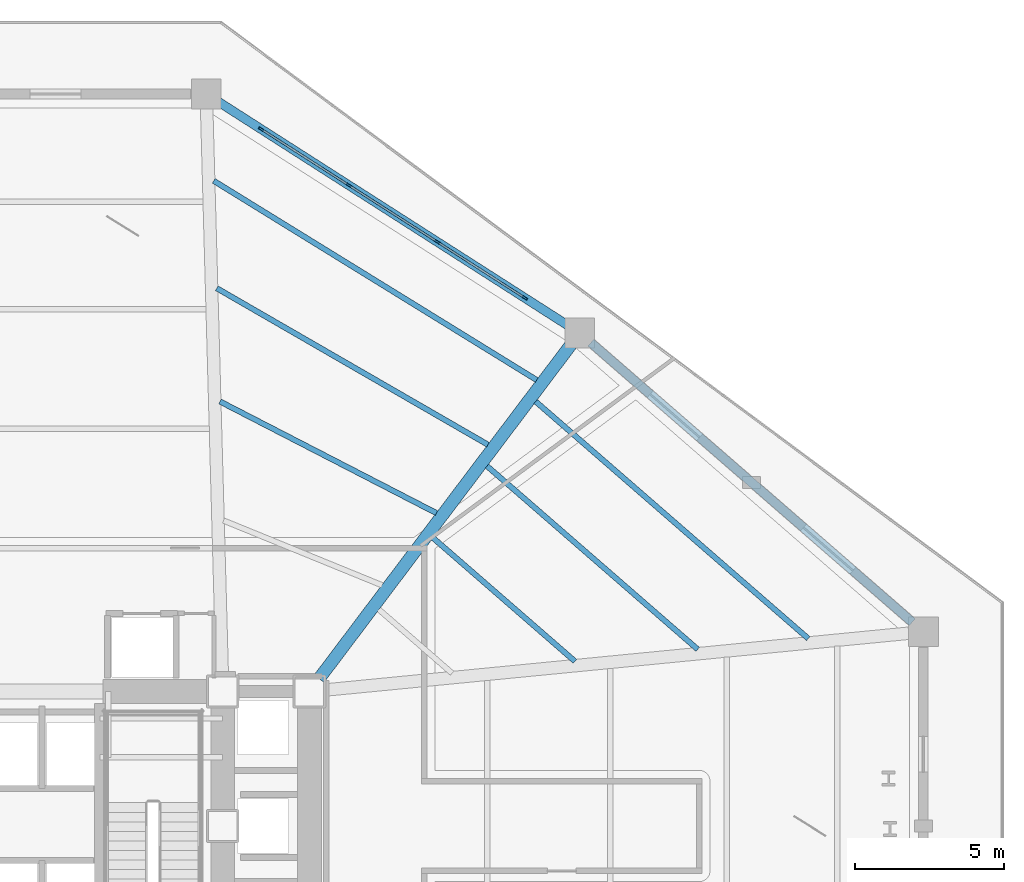
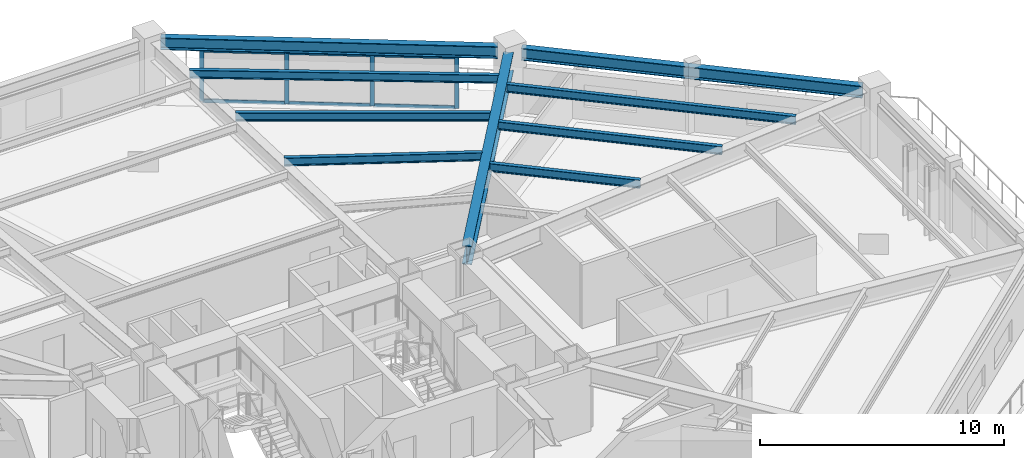
# One storey, part 4 of 12: 10 members, 9 beams, 1 element without a shape of its own.
"""IFC4 building model written with IfcOpenShell, lengths in metres."""

from ifc_helpers import new_model, si_unit, direction, frame, origin, origin_2d, place, context, subcontext, project, spatial, rectangle, i_section, extrude, material, layer, layer_set, material_profile, profile_set, type_object, element, aggregate, save


model = new_model("IFC4")

# Units and contexts
model_context = context("Model", 3, precision=1e-05, world=origin(), true_north=direction((0.0, 1.0)))
body_context = subcontext(model_context, "Body", "Model", "MODEL_VIEW")
ifc_project = project(units=[si_unit("LENGTHUNIT", "METRE"), si_unit("AREAUNIT", "SQUARE_METRE"), si_unit("VOLUMEUNIT", "CUBIC_METRE"), si_unit("PLANEANGLEUNIT", "RADIAN"), si_unit("MASSUNIT", "GRAM", prefix="KILO")], contexts=[model_context])

# Site, building, storey
site_placement = place(None, origin())
site = spatial("IfcSite", under=ifc_project, at=site_placement, CompositionType="ELEMENT")
building_placement = place(site_placement, origin())
building = spatial("IfcBuilding", under=site, at=building_placement, Name="Rocaltana Carrier Exchange", CompositionType="ELEMENT")
storey_placement = place(building_placement, frame((0.0, 0.0, 8.320068359375)))
storey = spatial("IfcBuildingStorey", under=building, at=storey_placement, Name="L03", CompositionType="ELEMENT", Elevation=8.320068359375)

# Curtain wall, members
ifc_material_1 = material(Name="Aluminium 6063-T6", Category="aluminium")
ifc_layer = layer(ifc_material_1, 0.179931640625)
ifc_layer_set = layer_set([ifc_layer], Name="Aluminium 6063-T6")
curtain_wall_type = type_object("IfcCurtainWallType", Name="Sandstone Spandrel Unitised Curtain Wall CW-01", PredefinedType="NOTDEFINED", material=ifc_layer_set)
curtain_wall_placement = place(storey_placement, origin())
curtain_wall = element("IfcCurtainWall", 1, at=curtain_wall_placement, inside=storey, type_object=curtain_wall_type, Name="L03 CW-01 Run CW01-POD-L03-B07", PredefinedType="NOTDEFINED")
ifc_material_2 = material(Name="Aluminium 6063-T6", Category="aluminium")
ifc_material_profile_1 = material_profile(ifc_material_2, rectangle(XDim=0.06494140625, YDim=0.179931640625, at=origin_2d()), Name="AL-65X180")
ifc_profile_set_1 = profile_set([ifc_material_profile_1], Name="Aluminium 6063-T6")
member_type_1 = type_object("IfcMemberType", Name="CW-01 Mullion AL-65X180", PredefinedType="MULLION", material=ifc_profile_set_1)
member_1_placement = place(storey_placement, frame((7.33837890625, 23.323486328125, 0.0), z_axis=(0.0, 0.0, 1.0), x_axis=(0.539050465884, 0.842273468198, 0.0)))
member_1 = element("IfcMember", 2, at=member_1_placement, type_object=member_type_1, Name="CW-01 mullion 1", PredefinedType="MULLION", context=body_context, shape_type="SweptSolid", body=[
    extrude(rectangle(XDim=0.06494140625, YDim=0.179931640625, at=origin_2d()), origin(), (0.0, 0.0, 1.0), 2.587890625),
])
member_2_placement = place(storey_placement, frame((10.270263671875, 21.447021484375, 0.0), z_axis=(0.0, 0.0, 1.0), x_axis=(0.539050465884, 0.842273468198, 0.0)))
member_2 = element("IfcMember", 3, at=member_2_placement, type_object=member_type_1, Name="CW-01 mullion 2", PredefinedType="MULLION", context=body_context, shape_type="SweptSolid", body=[
    extrude(rectangle(XDim=0.06494140625, YDim=0.179931640625, at=origin_2d()), origin(), (0.0, 0.0, 1.0), 2.587890625),
])
member_3_placement = place(storey_placement, frame((13.229736328125, 19.552978515625, 0.0), z_axis=(0.0, 0.0, 1.0), x_axis=(0.539050465884, 0.842273468198, 0.0)))
member_3 = element("IfcMember", 4, at=member_3_placement, type_object=member_type_1, Name="CW-01 mullion 3", PredefinedType="MULLION", context=body_context, shape_type="SweptSolid", body=[
    extrude(rectangle(XDim=0.06494140625, YDim=0.179931640625, at=origin_2d()), origin(), (0.0, 0.0, 1.0), 2.587890625),
])
member_4_placement = place(storey_placement, frame((16.16162109375, 17.676513671875, 0.0), z_axis=(0.0, 0.0, 1.0), x_axis=(0.539050465884, 0.842273468198, 0.0)))
member_4 = element("IfcMember", 5, at=member_4_placement, type_object=member_type_1, Name="CW-01 mullion 4", PredefinedType="MULLION", context=body_context, shape_type="SweptSolid", body=[
    extrude(rectangle(XDim=0.06494140625, YDim=0.179931640625, at=origin_2d()), origin(), (0.0, 0.0, 1.0), 2.587890625),
])
ifc_material_3 = material(Name="Aluminium 6063-T6", Category="aluminium")
ifc_material_profile_2 = material_profile(ifc_material_3, rectangle(XDim=0.06494140625, YDim=0.179931640625, at=origin_2d()), Name="AL-65X180")
ifc_profile_set_2 = profile_set([ifc_material_profile_2], Name="Aluminium 6063-T6")
member_type_2 = type_object("IfcMemberType", Name="CW-01 Transom AL-65X180", PredefinedType="USERDEFINED", material=ifc_profile_set_2)
member_5_placement = place(storey_placement, frame((7.36572265625, 23.305908203125, 0.032470703125), z_axis=(0.842284380374, -0.539033415085, 0.0), x_axis=(0.539033415085, 0.842284380374, 0.0)))
member_5 = element("IfcMember", 6, at=member_5_placement, type_object=member_type_2, Name="CW-01 transom 1.1", ObjectType="TRANSOM", PredefinedType="USERDEFINED", context=body_context, shape_type="SweptSolid", body=[
    extrude(rectangle(XDim=0.06494140625, YDim=0.179931640625, at=origin_2d()), origin(), (0.0, 0.0, 1.0), 3.416015625),
])
member_6_placement = place(storey_placement, frame((7.36572265625, 23.305908203125, 2.555419921875), z_axis=(0.842284380374, -0.539033415085, 0.0), x_axis=(0.539033415085, 0.842284380374, 0.0)))
member_6 = element("IfcMember", 7, at=member_6_placement, type_object=member_type_2, Name="CW-01 transom 1.2", ObjectType="TRANSOM", PredefinedType="USERDEFINED", context=body_context, shape_type="SweptSolid", body=[
    extrude(rectangle(XDim=0.06494140625, YDim=0.179931640625, at=origin_2d()), origin(), (0.0, 0.0, 1.0), 3.416015625),
])
member_7_placement = place(storey_placement, frame((10.297607421875, 21.429443359375, 0.032470703125), z_axis=(0.84229454219, -0.539017536076, 0.0), x_axis=(0.539017536076, 0.84229454219, 0.0)))
member_7 = element("IfcMember", 8, at=member_7_placement, type_object=member_type_2, Name="CW-01 transom 2.1", ObjectType="TRANSOM", PredefinedType="USERDEFINED", context=body_context, shape_type="SweptSolid", body=[
    extrude(rectangle(XDim=0.06494140625, YDim=0.179931640625, at=origin_2d()), origin(), (0.0, 0.0, 1.0), 3.44873046875),
])
member_8_placement = place(storey_placement, frame((10.297607421875, 21.429443359375, 2.555419921875), z_axis=(0.84229454219, -0.539017536076, 0.0), x_axis=(0.539017536076, 0.84229454219, 0.0)))
member_8 = element("IfcMember", 9, at=member_8_placement, type_object=member_type_2, Name="CW-01 transom 2.2", ObjectType="TRANSOM", PredefinedType="USERDEFINED", context=body_context, shape_type="SweptSolid", body=[
    extrude(rectangle(XDim=0.06494140625, YDim=0.179931640625, at=origin_2d()), origin(), (0.0, 0.0, 1.0), 3.44873046875),
])
member_9_placement = place(storey_placement, frame((13.257080078125, 19.535400390625, 0.032470703125), z_axis=(0.842284380374, -0.539033415085, 0.0), x_axis=(0.539033415085, 0.842284380374, 0.0)))
member_9 = element("IfcMember", 10, at=member_9_placement, type_object=member_type_2, Name="CW-01 transom 3.1", ObjectType="TRANSOM", PredefinedType="USERDEFINED", context=body_context, shape_type="SweptSolid", body=[
    extrude(rectangle(XDim=0.06494140625, YDim=0.179931640625, at=origin_2d()), origin(), (0.0, 0.0, 1.0), 3.416015625),
])
member_10_placement = place(storey_placement, frame((13.257080078125, 19.535400390625, 2.555419921875), z_axis=(0.842284380374, -0.539033415085, 0.0), x_axis=(0.539033415085, 0.842284380374, 0.0)))
member_10 = element("IfcMember", 11, at=member_10_placement, type_object=member_type_2, Name="CW-01 transom 3.2", ObjectType="TRANSOM", PredefinedType="USERDEFINED", context=body_context, shape_type="SweptSolid", body=[
    extrude(rectangle(XDim=0.06494140625, YDim=0.179931640625, at=origin_2d()), origin(), (0.0, 0.0, 1.0), 3.416015625),
])
aggregate(curtain_wall, [member_1, member_2, member_3, member_4, member_5, member_6, member_7, member_8, member_9, member_10])

# Beams
ifc_material_4 = material(Name="Steel S355", Category="steel")
ifc_material_profile_3 = material_profile(ifc_material_4, i_section(OverallWidth=0.179931640625, OverallDepth=0.4130859375, WebThickness=0.009765625, FlangeThickness=0.01611328125, FilletRadius=0.012939453125, at=origin_2d()), Name="W16X50")
ifc_profile_set_3 = profile_set([ifc_material_profile_3], Name="Steel S355")
beam_type_1 = type_object("IfcBeamType", Name="Floor Joist W16X50", PredefinedType="JOIST", material=ifc_profile_set_3)
beam_1_placement = place(storey_placement, frame((17.8388671875, 5.51318359375, 3.011474609375), z_axis=(-0.754611362598, 0.656171998364, 0.0), x_axis=(-0.656171998364, -0.754611362598, 0.0)))
element("IfcBeam", 12, at=beam_1_placement, inside=storey, type_object=beam_type_1, Name="FJ-POD-05-2-L03", PredefinedType="JOIST", context=body_context, shape_type="SweptSolid", body=[
    extrude(i_section(OverallWidth=0.179931640625, OverallDepth=0.4130859375, WebThickness=0.009765625, FlangeThickness=0.01611328125, FilletRadius=0.012939453125, at=origin_2d()), origin(), (0.0, 0.0, 1.0), 6.299560546875),
])
beam_2_placement = place(storey_placement, frame((21.94873046875, 5.9130859375, 3.011474609375), z_axis=(-0.75458752856, 0.656199406996, 0.0), x_axis=(-0.656199406996, -0.75458752856, 0.0)))
element("IfcBeam", 13, at=beam_2_placement, inside=storey, type_object=beam_type_1, Name="FJ-POD-05-3-L03", PredefinedType="JOIST", context=body_context, shape_type="SweptSolid", body=[
    extrude(i_section(OverallWidth=0.179931640625, OverallDepth=0.4130859375, WebThickness=0.009765625, FlangeThickness=0.01611328125, FilletRadius=0.012939453125, at=origin_2d()), origin(), (0.0, 0.0, 1.0), 9.347412109375),
])
beam_3_placement = place(storey_placement, frame((25.647705078125, 6.273193359375, 3.011474609375), z_axis=(-0.754602044397, 0.656182714335, 0.0), x_axis=(-0.656182714335, -0.754602044397, 0.0)))
element("IfcBeam", 14, at=beam_3_placement, inside=storey, type_object=beam_type_1, Name="FJ-POD-05-4-L03", PredefinedType="JOIST", context=body_context, shape_type="SweptSolid", body=[
    extrude(i_section(OverallWidth=0.179931640625, OverallDepth=0.4130859375, WebThickness=0.009765625, FlangeThickness=0.01611328125, FilletRadius=0.012939453125, at=origin_2d()), origin(), (0.0, 0.0, 1.0), 12.090576171875),
])
beam_4_placement = place(storey_placement, frame((13.2041015625, 10.472900390625, 3.011474609375), z_axis=(-0.888834436329, 0.45822848536, 0.0), x_axis=(-0.45822848536, -0.888834436329, 0.0)))
element("IfcBeam", 15, at=beam_4_placement, inside=storey, type_object=beam_type_1, Name="FJ-POD-06-2-L03", PredefinedType="JOIST", context=body_context, shape_type="SweptSolid", body=[
    extrude(i_section(OverallWidth=0.179931640625, OverallDepth=0.4130859375, WebThickness=0.009765625, FlangeThickness=0.01611328125, FilletRadius=0.012939453125, at=origin_2d()), origin(), (0.0, 0.0, 1.0), 8.149169921875),
])
beam_5_placement = place(storey_placement, frame((14.92822265625, 12.761474609375, 3.011474609375), z_axis=(-0.866158045768, 0.499770186937, 0.0), x_axis=(-0.499770186937, -0.866158045768, 0.0)))
element("IfcBeam", 16, at=beam_5_placement, inside=storey, type_object=beam_type_1, Name="FJ-POD-06-3-L03", PredefinedType="JOIST", context=body_context, shape_type="SweptSolid", body=[
    extrude(i_section(OverallWidth=0.179931640625, OverallDepth=0.4130859375, WebThickness=0.009765625, FlangeThickness=0.01611328125, FilletRadius=0.012939453125, at=origin_2d()), origin(), (0.0, 0.0, 1.0), 10.47900390625),
])
beam_6_placement = place(storey_placement, frame((16.560302734375, 14.926513671875, 3.011474609375), z_axis=(-0.851153693572, 0.524916555196, 0.0), x_axis=(-0.524916555196, -0.851153693572, 0.0)))
element("IfcBeam", 17, at=beam_6_placement, inside=storey, type_object=beam_type_1, Name="FJ-POD-06-4-L03", PredefinedType="JOIST", context=body_context, shape_type="SweptSolid", body=[
    extrude(i_section(OverallWidth=0.179931640625, OverallDepth=0.4130859375, WebThickness=0.009765625, FlangeThickness=0.01611328125, FilletRadius=0.012939453125, at=origin_2d()), origin(), (0.0, 0.0, 1.0), 12.701171875),
])
ifc_material_5 = material(Name="Steel S355", Category="steel")
ifc_material_profile_4 = material_profile(ifc_material_5, i_section(OverallWidth=0.41796875, OverallDepth=0.927001953125, WebThickness=0.019287109375, FlangeThickness=0.031982421875, FilletRadius=0.02197265625, at=origin_2d()), Name="W36X231")
ifc_profile_set_4 = profile_set([ifc_material_profile_4], Name="Steel S355")
beam_type_2 = type_object("IfcBeamType", Name="Heavy Floor Girder W36X231", PredefinedType="BEAM", material=ifc_profile_set_4)
beam_7_placement = place(storey_placement, frame((9.2763671875, 4.9326171875, 2.75439453125), z_axis=(0.602127359797, 0.798400051718, 0.0), x_axis=(-0.798400051718, 0.602127359797, 0.0)))
element("IfcBeam", 18, at=beam_7_placement, inside=storey, type_object=beam_type_2, Name="BM-PODG-07-L03", PredefinedType="BEAM", context=body_context, shape_type="SweptSolid", body=[
    extrude(i_section(OverallWidth=0.41796875, OverallDepth=0.927001953125, WebThickness=0.019287109375, FlangeThickness=0.031982421875, FilletRadius=0.02197265625, at=origin_2d()), origin(), (0.0, 0.0, 1.0), 13.99609375),
])
ifc_material_6 = material(Name="Steel S355", Category="steel")
ifc_material_profile_5 = material_profile(ifc_material_6, i_section(OverallWidth=0.300048828125, OverallDepth=0.60009765625, WebThickness=0.015380859375, FlangeThickness=0.030029296875, FilletRadius=0.027099609375, at=origin_2d()), Name="HEB600")
ifc_profile_set_5 = profile_set([ifc_material_profile_5], Name="Steel S355")
beam_type_3 = type_object("IfcBeamType", Name="Spandrel Edge Beam HEB600", PredefinedType="SPANDREL", material=ifc_profile_set_5)
beam_8_placement = place(storey_placement, frame((29.128662109375, 6.82275390625, 2.91796875), z_axis=(-0.754595198685, 0.656190586737, 0.0), x_axis=(-0.656190586737, -0.754595198685, 0.0)))
element("IfcBeam", 19, at=beam_8_placement, inside=storey, type_object=beam_type_3, Name="BM-PODR-06-L03", PredefinedType="SPANDREL", context=body_context, shape_type="SweptSolid", body=[
    extrude(i_section(OverallWidth=0.300048828125, OverallDepth=0.60009765625, WebThickness=0.015380859375, FlangeThickness=0.030029296875, FilletRadius=0.027099609375, at=origin_2d()), origin(), (0.0, 0.0, 1.0), 14.255859375),
])
beam_9_placement = place(storey_placement, frame((17.585693359375, 16.76513671875, 2.91796875), z_axis=(-0.842270120768, 0.539055696252, 0.0), x_axis=(-0.539055696252, -0.842270120768, 0.0)))
element("IfcBeam", 20, at=beam_9_placement, inside=storey, type_object=beam_type_3, Name="BM-PODR-07-L03", PredefinedType="SPANDREL", context=body_context, shape_type="SweptSolid", body=[
    extrude(i_section(OverallWidth=0.300048828125, OverallDepth=0.60009765625, WebThickness=0.015380859375, FlangeThickness=0.030029296875, FilletRadius=0.027099609375, at=origin_2d()), origin(), (0.0, 0.0, 1.0), 13.857177734375),
])

save(model, "model.ifc")
